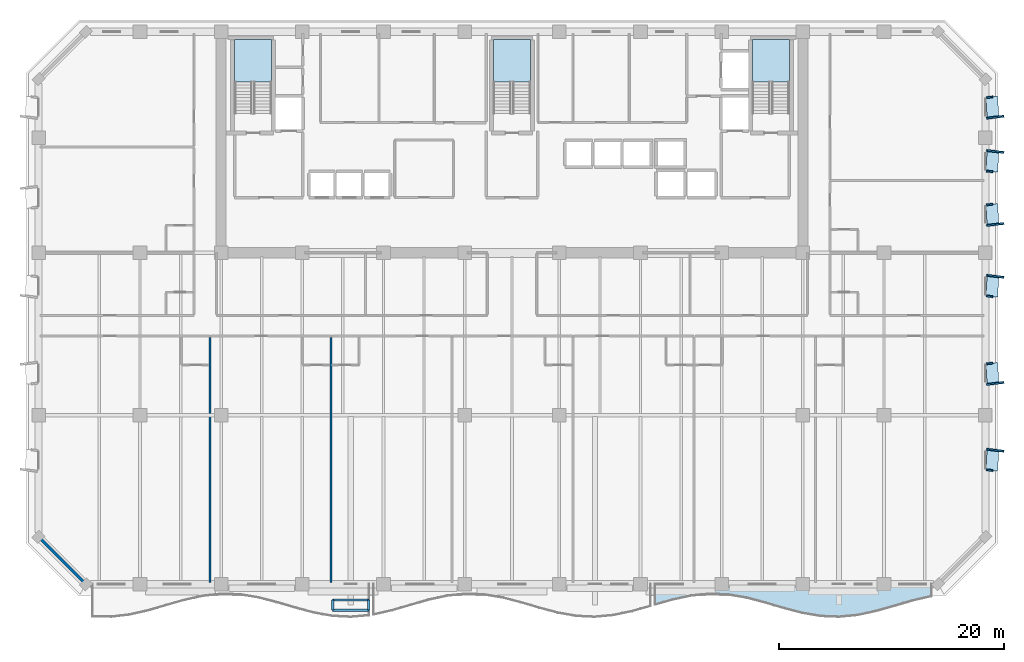
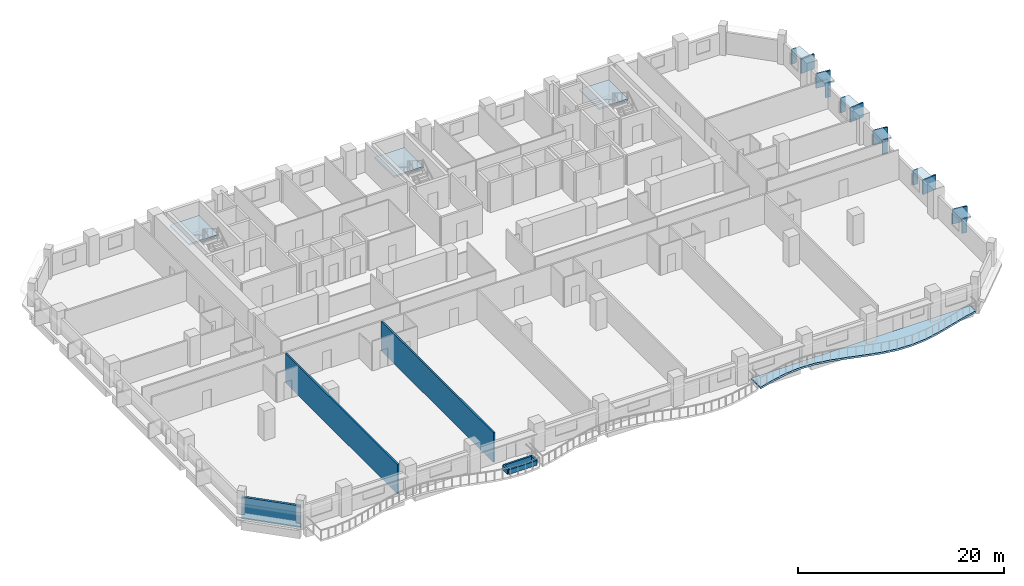
# One storey, part 3 of 15: 18 plates, 7 walls, 4 slabs, 3 elements without a shape of their own.
"""IFC4 building model written with IfcOpenShell, lengths in metres."""

from ifc_helpers import new_model, si_unit, direction, frame, frame_2d, origin, origin_2d, place, context, subcontext, project, spatial, polyline, rectangle, outline, extrude, material, layer, layer_set, type_object, element, aggregate, save


model = new_model("IFC4")

# Units and contexts
model_context = context("Model", 3, precision=1e-05, world=origin(), true_north=direction((0.0, 1.0)))
body_context = subcontext(model_context, "Body", "Model", "MODEL_VIEW")
ifc_project = project(units=[si_unit("LENGTHUNIT", "METRE"), si_unit("AREAUNIT", "SQUARE_METRE"), si_unit("VOLUMEUNIT", "CUBIC_METRE"), si_unit("PLANEANGLEUNIT", "RADIAN"), si_unit("MASSUNIT", "GRAM", prefix="KILO")], contexts=[model_context])

# Site, building, storey
site_placement = place(None, origin())
site = spatial("IfcSite", under=ifc_project, at=site_placement, CompositionType="ELEMENT")
building_placement = place(site_placement, origin())
building = spatial("IfcBuilding", under=site, at=building_placement, Name="Kaelvorn Grand Hotel", CompositionType="ELEMENT")
storey_placement = place(building_placement, frame((0.0, 0.0, 104.300048828125)))
storey = spatial("IfcBuildingStorey", under=building, at=storey_placement, Name="L24", CompositionType="ELEMENT", Elevation=104.300048828125)

# Plates
ifc_material_1 = material(Name="Precast concrete C45/55", Category="concrete")
ifc_layer_1 = layer(ifc_material_1, 0.159912109375)
ifc_layer_set_1 = layer_set([ifc_layer_1], Name="Precast concrete C45/55")
plate_type_1 = type_object("IfcPlateType", Name="PL-FRAME-DEEP-1550", PredefinedType="USERDEFINED", material=ifc_layer_set_1)
for number, where, z_axis, x_axis, name in (
    (1, (84.864990234375, 11.889892578125, 0.68994140625), (0.0, 0.0, 1.0), (0.121869343405, 0.992546151641, 0.0), "L24 Tilted Precast Window Frame Fin R-E01"),
    (2, (84.864990234375, 17.81005859375, 0.68994140625), (0.0, 0.0, 1.0), (-0.121869343405, 0.992546151641, 0.0), "L24 Tilted Precast Window Frame Fin L-E02"),
    (3, (84.864990234375, 27.31494140625, 0.68994140625), (0.0, 0.0, 1.0), (0.121869343405, 0.992546151641, 0.0), "L24 Tilted Precast Window Frame Fin R-E03"),
    (4, (84.864990234375, 31.909912109375, 0.68994140625), (0.0, 0.0, 1.0), (-0.121869343405, 0.992546151641, 0.0), "L24 Tilted Precast Window Frame Fin L-E04"),
    (5, (84.864990234375, 38.389892578125, 0.68994140625), (0.0, 0.0, 1.0), (0.121869343405, 0.992546151641, 0.0), "L24 Tilted Precast Window Frame Fin R-E05"),
    (6, (84.864990234375, 41.425048828125, 0.68994140625), (0.0, 0.0, 1.0), (-0.121869343405, 0.992546151641, 0.0), "L24 Tilted Precast Window Frame Fin L-E06"),
):
    element("IfcPlate", number, at=place(storey_placement, frame(where, z_axis=z_axis, x_axis=x_axis)), inside=storey, type_object=plate_type_1, Name=name, ObjectType="FLANGE_PLATE", PredefinedType="USERDEFINED", context=body_context, shape_type="SweptSolid", body=[
        extrude(rectangle(XDim=0.159912109375, YDim=1.550048828125, at=origin_2d()), origin(), (0.0, 0.0, 1.0), 1.719970703125),
    ])
ifc_layer_2 = layer(ifc_material_1, 0.159912109375)
ifc_layer_set_2 = layer_set([ifc_layer_2], Name="Precast concrete C45/55")
plate_type_2 = type_object("IfcPlateType", Name="PL-FRAME-HEAD-1050", PredefinedType="USERDEFINED", material=ifc_layer_set_2)
for number, where, z_axis, x_axis, name in (
    (7, (84.614990234375, 11.0, 2.25), (0.0, 0.0, 1.0), (0.054950179912, 0.998489097451, 0.0), "L24 Precast Window Frame Head Hood H-E01"),
    (8, (84.614990234375, 18.699951171875, 2.25), (0.0, 0.0, 1.0), (-0.054950179912, 0.998489097451, 0.0), "L24 Precast Window Frame Head Hood H-E02"),
    (9, (84.614990234375, 26.425048828125, 2.25), (0.0, 0.0, 1.0), (0.054950179912, 0.998489097451, 0.0), "L24 Precast Window Frame Head Hood H-E03"),
    (10, (84.614990234375, 32.800048828125, 2.25), (0.0, 0.0, 1.0), (-0.054950179912, 0.998489097451, 0.0), "L24 Precast Window Frame Head Hood H-E04"),
    (11, (84.614990234375, 37.5, 2.25), (0.0, 0.0, 1.0), (0.054950179912, 0.998489097451, 0.0), "L24 Precast Window Frame Head Hood H-E05"),
    (12, (84.614990234375, 42.31494140625, 2.25), (0.0, 0.0, 1.0), (-0.054950179912, 0.998489097451, 0.0), "L24 Precast Window Frame Head Hood H-E06"),
):
    element("IfcPlate", number, at=place(storey_placement, frame(where, z_axis=z_axis, x_axis=x_axis)), inside=storey, type_object=plate_type_2, Name=name, ObjectType="FLANGE_PLATE", PredefinedType="USERDEFINED", context=body_context, shape_type="SweptSolid", body=[
        extrude(rectangle(XDim=1.860107421875, YDim=1.050048828125, at=origin_2d()), origin(), (0.0, 0.0, 1.0), 0.159912109375),
    ])
ifc_layer_3 = layer(ifc_material_1, 0.159912109375)
ifc_layer_set_3 = layer_set([ifc_layer_3], Name="Precast concrete C45/55")
plate_type_3 = type_object("IfcPlateType", Name="PL-FRAME-SHAL-550", PredefinedType="USERDEFINED", material=ifc_layer_set_3)
for number, where, z_axis, x_axis, name in (
    (13, (84.364990234375, 10.110107421875, 0.68994140625), (0.0, 0.0, 1.0), (0.121869343405, 0.992546151641, 0.0), "L24 Tilted Precast Window Frame Fin L-E01"),
    (14, (84.364990234375, 19.590087890625, 0.68994140625), (0.0, 0.0, 1.0), (-0.121869343405, 0.992546151641, 0.0), "L24 Tilted Precast Window Frame Fin R-E02"),
    (15, (84.364990234375, 25.534912109375, 0.68994140625), (0.0, 0.0, 1.0), (0.121869343405, 0.992546151641, 0.0), "L24 Tilted Precast Window Frame Fin L-E03"),
    (16, (84.364990234375, 33.68994140625, 0.68994140625), (0.0, 0.0, 1.0), (-0.121869343405, 0.992546151641, 0.0), "L24 Tilted Precast Window Frame Fin R-E04"),
    (17, (84.364990234375, 36.610107421875, 0.68994140625), (0.0, 0.0, 1.0), (0.121869343405, 0.992546151641, 0.0), "L24 Tilted Precast Window Frame Fin L-E05"),
    (18, (84.364990234375, 43.205078125, 0.68994140625), (0.0, 0.0, 1.0), (-0.121869343405, 0.992546151641, 0.0), "L24 Tilted Precast Window Frame Fin R-E06"),
):
    element("IfcPlate", number, at=place(storey_placement, frame(where, z_axis=z_axis, x_axis=x_axis)), inside=storey, type_object=plate_type_3, Name=name, ObjectType="FLANGE_PLATE", PredefinedType="USERDEFINED", context=body_context, shape_type="SweptSolid", body=[
        extrude(rectangle(XDim=0.159912109375, YDim=0.550048828125, at=origin_2d()), origin(), (0.0, 0.0, 1.0), 1.719970703125),
    ])

# Slab
ifc_material_2 = material(Name="Concrete C40/50", Category="concrete")
ifc_layer_4 = layer(ifc_material_2, 0.219970703125)
ifc_layer_set_4 = layer_set([ifc_layer_4], Name="Concrete C40/50")
slab_type_1 = type_object("IfcSlabType", Name="SLB-BALC-220-C40", PredefinedType="FLOOR", material=ifc_layer_set_4)
slab_1_placement = place(storey_placement, frame((0.0, 0.0, -0.219970703125)))
element("IfcSlab", 19, at=slab_1_placement, inside=storey, type_object=slab_type_1, Name="L24 Scalloped Wave Balcony Slab 3", PredefinedType="FLOOR", context=body_context, shape_type="SweptSolid", body=[
    extrude(outline(polyline([(54.666748046875, -1.8193359375), (56.30224609375, -1.356689453125), (57.937744140625, -1.00927734375), (59.5732421875, -0.85400390625), (61.208984375, -0.925537109375), (62.844482421875, -1.2080078125), (64.47998046875, -1.638671875), (66.115478515625, -2.12158203125), (67.751220703125, -2.550048828125), (69.38671875, -2.828369140625), (71.022216796875, -2.89501953125), (72.65771484375, -2.735107421875), (74.293212890625, -2.384033203125), (75.928955078125, -1.919921875), (77.564453125, -1.446044921875), (79.199951171875, -1.0673828125), (79.199951171875, 0.0), (54.666748046875, 0.0), (54.666748046875, -1.8193359375)])), origin(), (0.0, 0.0, 1.0), 0.219970703125),
])

# Stair, slab
stair_type = type_object("IfcStairType", Name="STR-DOG-1560-R06", PredefinedType="HALF_TURN_STAIR", material=ifc_material_2)
stair_1_placement = place(storey_placement, origin())
stair_1 = element("IfcStair", 20, at=stair_1_placement, inside=storey, type_object=stair_type, Name="L24 West Core Exit Stair ST1", PredefinedType="HALF_TURN_STAIR")
ifc_layer_5 = layer(ifc_material_2, 0.199951171875)
ifc_layer_set_5 = layer_set([ifc_layer_5], Name="Concrete C40/50")
slab_type_2 = type_object("IfcSlabType", Name="SLB-LAND-200-C40", PredefinedType="LANDING", material=ifc_layer_set_5)
slab_2_placement = place(storey_placement, frame((0.0, 0.0, 1.675048828125)))
slab_2 = element("IfcSlab", 21, at=slab_2_placement, type_object=slab_type_2, Name="ST1 landing 1", PredefinedType="LANDING", context=body_context, shape_type="SweptSolid", body=[
    extrude(outline(polyline([(20.679931640625, 44.56005859375), (20.679931640625, 48.300048828125), (17.39990234375, 48.300048828125), (17.39990234375, 44.56005859375), (20.679931640625, 44.56005859375)])), origin(), (0.0, 0.0, 1.0), 0.199951171875),
])
aggregate(stair_1, [slab_2])

stair_2_placement = place(storey_placement, origin())
stair_2 = element("IfcStair", 22, at=stair_2_placement, inside=storey, type_object=stair_type, Name="L24 Central Core Exit Stair ST2", PredefinedType="HALF_TURN_STAIR")
slab_3_placement = place(storey_placement, frame((0.0, 0.0, 1.675048828125)))
slab_3 = element("IfcSlab", 23, at=slab_3_placement, type_object=slab_type_2, Name="ST2 landing 1", PredefinedType="LANDING", context=body_context, shape_type="SweptSolid", body=[
    extrude(outline(polyline([(43.639892578125, 44.56005859375), (43.639892578125, 48.300048828125), (40.360107421875, 48.300048828125), (40.360107421875, 44.56005859375), (43.639892578125, 44.56005859375)])), origin(), (0.0, 0.0, 1.0), 0.199951171875),
])
aggregate(stair_2, [slab_3])

stair_3_placement = place(storey_placement, origin())
stair_3 = element("IfcStair", 24, at=stair_3_placement, inside=storey, type_object=stair_type, Name="L24 East Core Exit Stair ST3", PredefinedType="HALF_TURN_STAIR")
slab_4_placement = place(storey_placement, frame((0.0, 0.0, 1.675048828125)))
slab_4 = element("IfcSlab", 25, at=slab_4_placement, type_object=slab_type_2, Name="ST3 landing 1", PredefinedType="LANDING", context=body_context, shape_type="SweptSolid", body=[
    extrude(outline(polyline([(66.60009765625, 44.56005859375), (66.60009765625, 48.300048828125), (63.320068359375, 48.300048828125), (63.320068359375, 44.56005859375), (66.60009765625, 44.56005859375)])), origin(), (0.0, 0.0, 1.0), 0.199951171875),
])
aggregate(stair_3, [slab_4])

# Walls
ifc_layer_6 = layer(ifc_material_2, 0.260009765625)
ifc_layer_set_6 = layer_set([ifc_layer_6], Name="Concrete C40/50")
wall_type_1 = type_object("IfcWallType", Name="WL-EXT-260-C40", PredefinedType="SOLIDWALL", material=ifc_layer_set_6)
wall_1_placement = place(storey_placement, frame((0.0, 4.199951171875, 0.0), z_axis=(0.0, 0.0, 1.0), x_axis=(0.707106781187, -0.707106781187, 0.0)))
element("IfcWall", 26, at=wall_1_placement, inside=storey, type_object=wall_type_1, Name="L24 Exterior Architectural Concrete Wall 08", PredefinedType="SOLIDWALL", context=body_context, shape_type="SweptSolid", body=[
    extrude(rectangle(XDim=5.939697265625, YDim=0.260009765625, at=frame_2d((2.9697265625, 0.0))), origin(), (0.0, 0.0, 1.0), 2.56005859375),
])
ifc_material_3 = material(Name="Acoustic Gypsum & Stud Partition")
ifc_layer_7 = layer(ifc_material_3, 0.179931640625)
ifc_layer_set_7 = layer_set([ifc_layer_7], Name="Acoustic Gypsum & Stud Partition")
wall_type_2 = type_object("IfcWallType", Name="WL-PART-180-EI60", PredefinedType="PARTITIONING", material=ifc_layer_set_7)
for number, where, z_axis, x_axis, name in (
    (27, (15.19287109375, 0.14990234375, 0.0), (0.0, 0.0, 1.0), (0.0, 1.0, 0.0), "L24 Presidential Sky Suite L24-01 E Partition"),
    (28, (25.935791015625, 0.14990234375, 0.0), (0.0, 0.0, 1.0), (0.0, 1.0, 0.0), "L24 Deluxe Panoramic Suite L24-02 E Partition"),
):
    element("IfcWall", number, at=place(storey_placement, frame(where, z_axis=z_axis, x_axis=x_axis)), inside=storey, type_object=wall_type_2, Name=name, PredefinedType="PARTITIONING", context=body_context, shape_type="SweptSolid", body=[
        extrude(rectangle(XDim=21.755126953125, YDim=0.179931640625, at=frame_2d((10.87744140625, 0.0))), origin(), (0.0, 0.0, 1.0), 3.510009765625),
    ])
ifc_layer_8 = layer(ifc_material_2, 0.199951171875)
ifc_layer_set_8 = layer_set([ifc_layer_8], Name="Concrete C40/50")
wall_type_3 = type_object("IfcWallType", Name="WL-TREE-PLANTER-200", PredefinedType="PARAPET", material=ifc_layer_set_8)
wall_2_placement = place(storey_placement, frame((26.09765625, -2.300048828125, 0.0), z_axis=(0.0, 0.0, 1.0), x_axis=(1.0, 0.0, 0.0)))
element("IfcWall", 29, at=wall_2_placement, inside=storey, type_object=wall_type_3, Name="L24 Planted Balcony Structural TREE PLANTER Kerb 1-S", PredefinedType="PARAPET", context=body_context, shape_type="SweptSolid", body=[
    extrude(rectangle(XDim=3.2001953125, YDim=0.199951171875, at=frame_2d((1.60009765625, 0.0))), origin(), (0.0, 0.0, 1.0), 0.550048828125),
])
wall_3_placement = place(storey_placement, frame((29.2978515625, -2.300048828125, 0.0), z_axis=(0.0, 0.0, 1.0), x_axis=(0.0, 1.0, 0.0)))
element("IfcWall", 30, at=wall_3_placement, inside=storey, type_object=wall_type_3, Name="L24 Planted Balcony Structural TREE PLANTER Kerb 1-E", PredefinedType="PARAPET", context=body_context, shape_type="SweptSolid", body=[
    extrude(rectangle(XDim=0.900146484375, YDim=0.199951171875, at=frame_2d((0.4501953125, 0.0))), origin(), (0.0, 0.0, 1.0), 0.550048828125),
])
wall_4_placement = place(storey_placement, frame((29.2978515625, -1.39990234375, 0.0), z_axis=(0.0, 0.0, 1.0), x_axis=(-1.0, 0.0, 0.0)))
element("IfcWall", 31, at=wall_4_placement, inside=storey, type_object=wall_type_3, Name="L24 Planted Balcony Structural TREE PLANTER Kerb 1-N", PredefinedType="PARAPET", context=body_context, shape_type="SweptSolid", body=[
    extrude(rectangle(XDim=3.2001953125, YDim=0.199951171875, at=frame_2d((1.60009765625, 0.0))), origin(), (0.0, 0.0, 1.0), 0.550048828125),
])
wall_5_placement = place(storey_placement, frame((26.09765625, -1.39990234375, 0.0), z_axis=(0.0, 0.0, 1.0), x_axis=(0.0, -1.0, 0.0)))
element("IfcWall", 32, at=wall_5_placement, inside=storey, type_object=wall_type_3, Name="L24 Planted Balcony Structural TREE PLANTER Kerb 1-W", PredefinedType="PARAPET", context=body_context, shape_type="SweptSolid", body=[
    extrude(rectangle(XDim=0.900146484375, YDim=0.199951171875, at=frame_2d((0.4501953125, 0.0))), origin(), (0.0, 0.0, 1.0), 0.550048828125),
])

save(model, "model.ifc")
